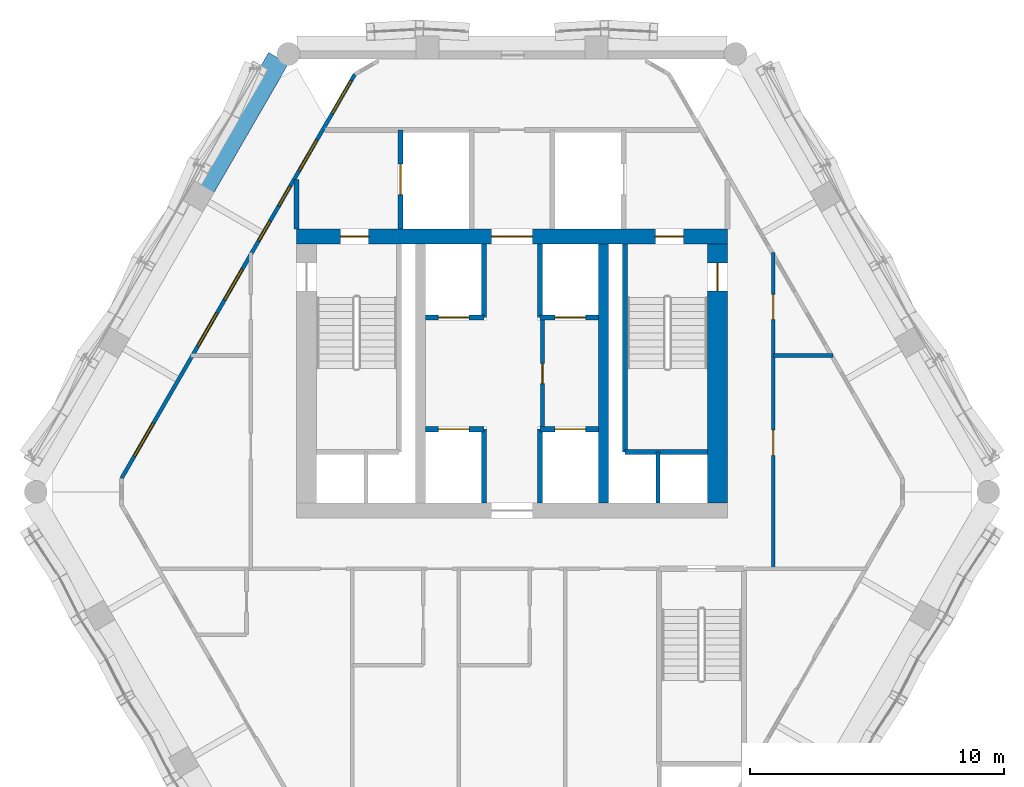
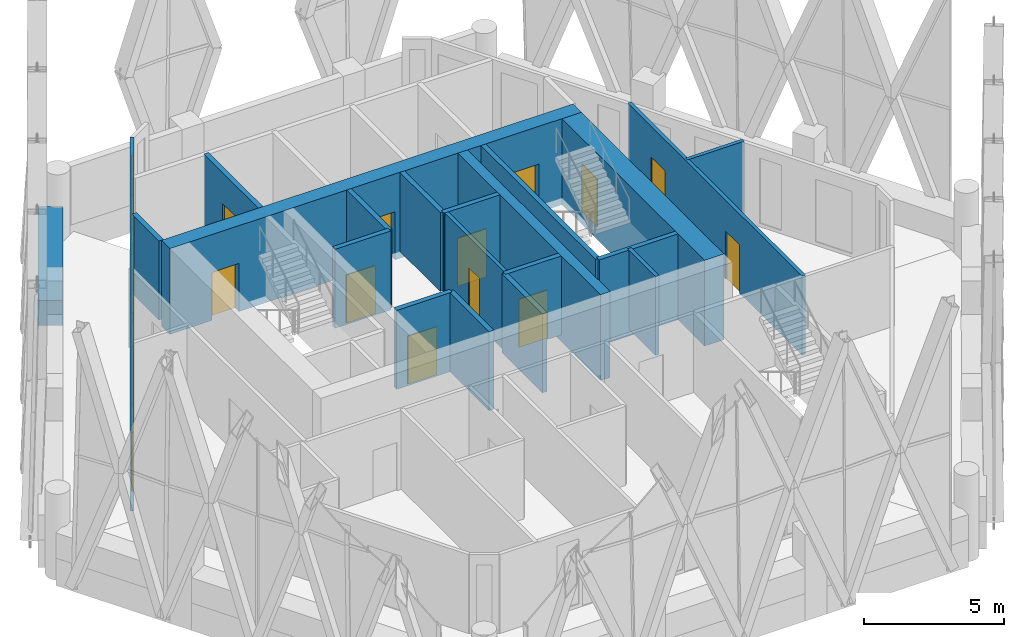
# One storey, part 14 of 22: 21 walls, 12 doors, 7 windows, 19 openings.
"""IFC4 building model written with IfcOpenShell, lengths in metres."""

import ifcopenshell
import ifcopenshell.guid

model = None  # the IFC model being written
_history = None  # IfcOwnerHistory: only IFC2X3 demands one
_inside = {}  # id of a spatial element -> (the spatial element, [elements in it])
_under = {}  # id of a project, library or spatial element -> (it, [spatial elements below it])
_declared = {}  # id of a project -> (the project, [libraries it declares])
_typed = {}  # id of a type object -> (the type object, [elements of that type])
_made_of = {}  # id of a material, layer set ... -> (it, [elements and type objects made of it])


def new_model(schema):
    """Start an empty IFC model of exactly this schema.

    Asked for "IFC4X3", IfcOpenShell would pick the latest addendum, in which some entities
    have other attributes; the version numbers below select the first issue.
    IFC2X3 requires an IfcOwnerHistory on every rooted entity: one is made here for all.
    """
    global model, _history
    if schema == "IFC4X3":
        model = ifcopenshell.file(schema_version=(4, 3, 0, 0))
    else:
        model = ifcopenshell.file(schema=schema)
    _inside.clear()
    _under.clear()
    _declared.clear()
    _typed.clear()
    _made_of.clear()
    _history = None
    if model.schema == "IFC2X3":
        org = make("IfcOrganization", Name="unknown")
        user = make(
            "IfcPersonAndOrganization",
            ThePerson=make("IfcPerson", FamilyName="unknown"),
            TheOrganization=org,
        )
        app = make(
            "IfcApplication",
            ApplicationDeveloper=org,
            Version="unknown",
            ApplicationFullName="unknown",
            ApplicationIdentifier="unknown",
        )
        _history = make(
            "IfcOwnerHistory",
            OwningUser=user,
            OwningApplication=app,
            ChangeAction="ADDED",
            CreationDate=0,
        )
    return model


def make(cls, **values):
    """One entity of the class cls with the attributes given. An attribute that is None is left unset."""
    return model.create_entity(
        cls, **{name: value for name, value in values.items() if value is not None}
    )


def rooted(cls, **values):
    """An entity with a GlobalId (a new one), such as an element, a storey or a relation."""
    return make(cls, GlobalId=ifcopenshell.guid.new(), OwnerHistory=_history, **values)


def si_unit(unit_type, name, prefix=None):
    """IfcSIUnit, for example si_unit("LENGTHUNIT", "METRE", prefix="MILLI")."""
    return make("IfcSIUnit", UnitType=unit_type, Prefix=prefix, Name=name)


def assignment(units):
    """IfcUnitAssignment: the units of a project."""
    return None if units is None else make("IfcUnitAssignment", Units=units)


def point(xyz):
    """IfcCartesianPoint."""
    return None if xyz is None else make("IfcCartesianPoint", Coordinates=xyz)


def direction(xyz):
    """IfcDirection."""
    return None if xyz is None else make("IfcDirection", DirectionRatios=xyz)


def frame(location, z_axis=None, x_axis=None):
    """IfcAxis2Placement3D, a coordinate frame: its origin and axes. An axis left out is left unset."""
    return make(
        "IfcAxis2Placement3D",
        Location=point(location),
        Axis=direction(z_axis),
        RefDirection=direction(x_axis),
    )


def frame_2d(location, x_axis=None):
    """IfcAxis2Placement2D, a coordinate frame in the plane: its origin and x axis."""
    return make(
        "IfcAxis2Placement2D", Location=point(location), RefDirection=direction(x_axis)
    )


def origin():
    """The frame at (0, 0, 0) with its axes left unset."""
    return frame((0.0, 0.0, 0.0))


def place(relative_to, where):
    """IfcLocalPlacement: puts the frame where relative to a parent placement (None: the world)."""
    return make(
        "IfcLocalPlacement", PlacementRelTo=relative_to, RelativePlacement=where
    )


def context(
    kind, dimensions, precision=None, world=None, true_north=None, identifier=None
):
    """IfcGeometricRepresentationContext, for example the 3D "Model" context."""
    return make(
        "IfcGeometricRepresentationContext",
        ContextIdentifier=identifier,
        ContextType=kind,
        CoordinateSpaceDimension=dimensions,
        Precision=precision,
        WorldCoordinateSystem=world,
        TrueNorth=true_north,
    )


def subcontext(parent, identifier, kind, view, scale=None):
    """IfcGeometricRepresentationSubContext, for example "Body" below "Model"."""
    return make(
        "IfcGeometricRepresentationSubContext",
        ContextIdentifier=identifier,
        ContextType=kind,
        ParentContext=parent,
        TargetScale=scale,
        TargetView=view,
    )


def project(units=None, contexts=None):
    """IfcProject with its units and contexts."""
    return rooted(
        "IfcProject",
        Name="project",
        RepresentationContexts=contexts,
        UnitsInContext=assignment(units),
    )


def spatial(cls, under=None, at=None, **own):
    """A site, building, storey or space (cls), placed at a placement, below another one or the project."""
    s = rooted(cls, ObjectPlacement=at, **own)
    if under is not None:
        _under.setdefault(under.id(), (under, []))[1].append(s)
    return s


def profile(cls, at=None, kind="AREA", **sizes):
    """A parametric profile (cls). Its sizes go by their IFC names, for example OverallWidth=200.0."""
    return make(cls, ProfileType=kind, Position=at, **sizes)


def rectangle(**sizes):
    """IfcRectangleProfileDef."""
    return profile("IfcRectangleProfileDef", **sizes)


def extrude(swept, where, along, depth):
    """IfcExtrudedAreaSolid: the profile swept, set in the frame where, extruded along a direction by depth."""
    return make(
        "IfcExtrudedAreaSolid",
        SweptArea=swept,
        Position=where,
        ExtrudedDirection=direction(along),
        Depth=depth,
    )


def shape(context_of_items, identifier, shape_type, items):
    """IfcShapeRepresentation: the items that make up one representation, for example the "Body"."""
    return make(
        "IfcShapeRepresentation",
        ContextOfItems=context_of_items,
        RepresentationIdentifier=identifier,
        RepresentationType=shape_type,
        Items=items,
    )


def material(Name=None, Category=None):
    """IfcMaterial."""
    return make("IfcMaterial", Name=Name, Category=Category)


def layer(
    of_material, thickness, ventilated=None, Name=None, Category=None, Priority=None
):
    """IfcMaterialLayer: one layer of a wall or slab, of a material (None: an air gap)."""
    return make(
        "IfcMaterialLayer",
        Material=of_material,
        LayerThickness=thickness,
        IsVentilated=ventilated,
        Name=Name,
        Category=Category,
        Priority=Priority,
    )


def layer_set(layers, Name=None):
    """IfcMaterialLayerSet."""
    return make("IfcMaterialLayerSet", MaterialLayers=layers, LayerSetName=Name)


def made_of(thing, what):
    """Note that an element or type object is made of a material, layer set ...; save() writes the relation."""
    if what is not None:
        _made_of.setdefault(what.id(), (what, []))[1].append(thing)
    return thing


def type_object(cls, material=None, **own):
    """A type object (cls), such as IfcWallType, which elements share."""
    return made_of(rooted(cls, **own), material)


def element(
    cls,
    number,
    at=None,
    inside=None,
    cuts=None,
    type_object=None,
    material=None,
    context=None,
    identifier="Body",
    shape_type=None,
    held_by="IfcProductDefinitionShape",
    body=None,
    shapes=None,
    **own,
):
    """One element of the class cls, such as IfcWall. Its Tag is "e" and its number.

    at: its placement. inside: the storey or other place that contains it. cuts: it is an
    opening in that element (IfcRelVoidsElement). A single representation is given by context,
    identifier, shape_type and body (its items); several are given by shapes. held_by: the class
    of the entity that holds the representations. save() writes the other relations.
    """
    e = rooted(cls, Tag="e%d" % number, ObjectPlacement=at, **own)
    if body is not None:
        shapes = [shape(context, identifier, shape_type, body)]
    if shapes is not None:
        e.Representation = make(held_by, Representations=shapes)
    if inside is not None:
        _inside.setdefault(inside.id(), (inside, []))[1].append(e)
    if cuts is not None:
        rooted(
            "IfcRelVoidsElement", RelatingBuildingElement=cuts, RelatedOpeningElement=e
        )
    if type_object is not None:
        _typed.setdefault(type_object.id(), (type_object, []))[1].append(e)
    return made_of(e, material)


def fill(opening, filler):
    """IfcRelFillsElement: the door or window that sits in an opening."""
    return rooted(
        "IfcRelFillsElement",
        RelatingOpeningElement=opening,
        RelatedBuildingElement=filler,
    )


def aggregate(whole, parts):
    """IfcRelAggregates: a whole, such as a stair, and the parts it consists of."""
    return rooted("IfcRelAggregates", RelatingObject=whole, RelatedObjects=parts)


def save(model, path):
    """Write the relations noted so far, then the file.

    IfcRelAggregates (storeys below a building ...), IfcRelContainedInSpatialStructure (elements
    in a storey), IfcRelDefinesByType, IfcRelAssociatesMaterial and IfcRelDeclares: one each for
    every whole, place, type object, material and project.
    """
    for whole, parts in _under.values():
        aggregate(whole, parts)
    for where, things in _inside.values():
        rooted(
            "IfcRelContainedInSpatialStructure",
            RelatedElements=things,
            RelatingStructure=where,
        )
    for kind, things in _typed.values():
        rooted("IfcRelDefinesByType", RelatedObjects=things, RelatingType=kind)
    for what, things in _made_of.values():
        rooted("IfcRelAssociatesMaterial", RelatedObjects=things, RelatingMaterial=what)
    for by, libraries in _declared.values():
        rooted("IfcRelDeclares", RelatingContext=by, RelatedDefinitions=libraries)
    model.write(path)


model = new_model("IFC4")

# Units and contexts
model_context = context("Model", 3, precision=1e-05, world=origin(), true_north=direction((0.0, 1.0)))
body_context = subcontext(model_context, "Body", "Model", "MODEL_VIEW")
ifc_project = project(units=[si_unit("LENGTHUNIT", "METRE"), si_unit("AREAUNIT", "SQUARE_METRE"), si_unit("VOLUMEUNIT", "CUBIC_METRE"), si_unit("PLANEANGLEUNIT", "RADIAN"), si_unit("MASSUNIT", "GRAM", prefix="KILO")], contexts=[model_context])

# Site, building, storey
site_placement = place(None, origin())
site = spatial("IfcSite", under=ifc_project, at=site_placement, CompositionType="ELEMENT")
building_placement = place(site_placement, origin())
building = spatial("IfcBuilding", under=site, at=building_placement, Name="Ostrander Bayou Hotel Tower", CompositionType="ELEMENT")
storey_placement = place(building_placement, frame((0.0, 0.0, 245.0)))
storey = spatial("IfcBuildingStorey", under=building, at=storey_placement, Name="L60", CompositionType="ELEMENT", Elevation=245.0)

# Wall, openings, doors
ifc_material_1 = material(Name="Concrete f'c 60 MPa", Category="concrete")
ifc_layer_1 = layer(ifc_material_1, 0.60009765625)
ifc_layer_set_1 = layer_set([ifc_layer_1], Name="CW10 core wall 600 mm f'c 60 MPa")
wall_type_1 = type_object("IfcWallType", Name="CW10 core wall 600 mm f'c 60 MPa", PredefinedType="SHEAR", material=ifc_layer_set_1)
wall_1_placement = place(storey_placement, frame((-8.5, 9.39990234375, -0.300048828125), z_axis=(0.0, 0.0, 1.0), x_axis=(1.0, 0.0, 0.0)))
wall_1 = element("IfcWall", 1, at=wall_1_placement, inside=storey, type_object=wall_type_1, Name="CW10 L60 N", PredefinedType="SHEAR", context=body_context, shape_type="SweptSolid", body=[
    extrude(rectangle(XDim=17.0, YDim=0.60009765625, at=frame_2d((8.5, 0.0))), origin(), (0.0, 0.0, 1.0), 3.75),
])
opening_1_placement = place(wall_1_placement, frame((7.699951171875, 0.0, 0.0)))
opening_1 = element("IfcOpeningElement", 2, at=opening_1_placement, cuts=wall_1, Name="Opening T60-006", PredefinedType="OPENING", context=body_context, shape_type="SweptSolid", body=[
    extrude(rectangle(XDim=1.60009765625, YDim=2.10009765625, at=frame_2d((0.800048828125, 1.050048828125))), frame((0.0, 0.300048828125, 0.0), z_axis=(0.0, -1.0, 0.0), x_axis=(1.0, 0.0, 0.0)), (0.0, 0.0, 1.0), 0.60009765625),
])
opening_2_placement = place(wall_1_placement, frame((1.75, 0.0, 0.0)))
opening_2 = element("IfcOpeningElement", 3, at=opening_2_placement, cuts=wall_1, Name="Opening T60-007", PredefinedType="OPENING", context=body_context, shape_type="SweptSolid", body=[
    extrude(rectangle(XDim=1.10009765625, YDim=2.10009765625, at=frame_2d((0.550048828125, 1.050048828125))), frame((0.0, 0.300048828125, 0.0), z_axis=(0.0, -1.0, 0.0), x_axis=(1.0, 0.0, 0.0)), (0.0, 0.0, 1.0), 0.60009765625),
])
opening_3_placement = place(wall_1_placement, frame((14.14990234375, 0.0, 0.0)))
opening_3 = element("IfcOpeningElement", 4, at=opening_3_placement, cuts=wall_1, Name="Opening T60-009", PredefinedType="OPENING", context=body_context, shape_type="SweptSolid", body=[
    extrude(rectangle(XDim=1.10009765625, YDim=2.10009765625, at=frame_2d((0.550048828125, 1.050048828125))), frame((0.0, 0.300048828125, 0.0), z_axis=(0.0, -1.0, 0.0), x_axis=(1.0, 0.0, 0.0)), (0.0, 0.0, 1.0), 0.60009765625),
])
ifc_material_2 = material(Name="Timber door leaf", Category="wood")
door_type_1 = type_object("IfcDoorType", Name="D13 double door 1600 x 2100 mm, 1 hour", OperationType="SINGLE_SWING_LEFT", PredefinedType="DOOR", material=ifc_material_2)
door_1_placement = place(opening_1_placement, origin())
door_1 = element("IfcDoor", 5, at=door_1_placement, inside=storey, type_object=door_type_1, Name="dr:L60:006", OperationType="DOUBLE_DOOR_SINGLE_SWING", OverallHeight=2.10009765625, OverallWidth=1.60009765625, PredefinedType="DOOR", context=body_context, shape_type="SweptSolid", body=[
    extrude(rectangle(XDim=1.60009765625, YDim=2.10009765625, at=frame_2d((0.800048828125, 1.050048828125))), frame((0.0, 0.02490234375, 0.0), z_axis=(0.0, -1.0, 0.0), x_axis=(1.0, 0.0, 0.0)), (0.0, 0.0, 1.0), 0.050048828125),
])
fill(opening_1, door_1)
ifc_material_3 = material(Name="Timber door leaf", Category="wood")
door_type_2 = type_object("IfcDoorType", Name="D5 stair door 1100 x 2100 mm, 90 minute", OperationType="SINGLE_SWING_LEFT", PredefinedType="DOOR", material=ifc_material_3)
door_2_placement = place(opening_2_placement, origin())
door_2 = element("IfcDoor", 6, at=door_2_placement, inside=storey, type_object=door_type_2, Name="dr:L60:007", OperationType="SINGLE_SWING_LEFT", OverallHeight=2.10009765625, OverallWidth=1.10009765625, PredefinedType="DOOR", context=body_context, shape_type="SweptSolid", body=[
    extrude(rectangle(XDim=1.10009765625, YDim=2.10009765625, at=frame_2d((0.550048828125, 1.050048828125))), frame((0.0, 0.02490234375, 0.0), z_axis=(0.0, -1.0, 0.0), x_axis=(1.0, 0.0, 0.0)), (0.0, 0.0, 1.0), 0.050048828125),
])
fill(opening_2, door_2)
door_3_placement = place(opening_3_placement, origin())
door_3 = element("IfcDoor", 7, at=door_3_placement, inside=storey, type_object=door_type_2, Name="dr:L60:009", OperationType="SINGLE_SWING_RIGHT", OverallHeight=2.10009765625, OverallWidth=1.10009765625, PredefinedType="DOOR", context=body_context, shape_type="SweptSolid", body=[
    extrude(rectangle(XDim=1.10009765625, YDim=2.10009765625, at=frame_2d((0.550048828125, 1.050048828125))), frame((0.0, 0.02490234375, 0.0), z_axis=(0.0, -1.0, 0.0), x_axis=(1.0, 0.0, 0.0)), (0.0, 0.0, 1.0), 0.050048828125),
])
fill(opening_3, door_3)

# Wall, opening, door
ifc_material_4 = material(Name="Concrete f'c 60 MPa", Category="concrete")
ifc_layer_2 = layer(ifc_material_4, 0.800048828125)
ifc_layer_set_2 = layer_set([ifc_layer_2], Name="CW11 core spine wall 800 mm f'c 60 MPa")
wall_type_2 = type_object("IfcWallType", Name="CW11 core spine wall 800 mm f'c 60 MPa", PredefinedType="SHEAR", material=ifc_layer_set_2)
wall_2_placement = place(storey_placement, frame((8.10009765625, -1.10009765625, -0.300048828125), z_axis=(0.0, 0.0, 1.0), x_axis=(0.0, 1.0, 0.0)))
wall_2 = element("IfcWall", 8, at=wall_2_placement, inside=storey, type_object=wall_type_2, Name="CW11 L60 E", PredefinedType="SHEAR", context=body_context, shape_type="SweptSolid", body=[
    extrude(rectangle(XDim=10.2001953125, YDim=0.800048828125, at=frame_2d((5.10009765625, 0.0))), origin(), (0.0, 0.0, 1.0), 3.75),
])
opening_4_placement = place(wall_2_placement, frame((8.35009765625, 0.0, 0.0)))
opening_4 = element("IfcOpeningElement", 9, at=opening_4_placement, cuts=wall_2, Name="Opening T60-010", PredefinedType="OPENING", context=body_context, shape_type="SweptSolid", body=[
    extrude(rectangle(XDim=1.10009765625, YDim=2.10009765625, at=frame_2d((0.550048828125, 1.050048828125))), frame((0.0, 0.39990234375, 0.0), z_axis=(0.0, -1.0, 0.0), x_axis=(1.0, 0.0, 0.0)), (0.0, 0.0, 1.0), 0.800048828125),
])
door_4_placement = place(opening_4_placement, origin())
door_4 = element("IfcDoor", 10, at=door_4_placement, inside=storey, type_object=door_type_2, Name="dr:L60:010", OperationType="SINGLE_SWING_LEFT", OverallHeight=2.10009765625, OverallWidth=1.10009765625, PredefinedType="DOOR", context=body_context, shape_type="SweptSolid", body=[
    extrude(rectangle(XDim=1.10009765625, YDim=2.10009765625, at=frame_2d((0.550048828125, 1.050048828125))), frame((0.0, 0.02490234375, 0.0), z_axis=(0.0, -1.0, 0.0), x_axis=(1.0, 0.0, 0.0)), (0.0, 0.0, 1.0), 0.050048828125),
])
fill(opening_4, door_4)

# Wall
ifc_material_5 = material(Name="Concrete f'c 60 MPa", Category="concrete")
ifc_layer_3 = layer(ifc_material_5, 0.39990234375)
ifc_layer_set_3 = layer_set([ifc_layer_3], Name="CW12 core bank wall 400 mm f'c 60 MPa")
wall_type_3 = type_object("IfcWallType", Name="CW12 core bank wall 400 mm f'c 60 MPa", PredefinedType="SHEAR", material=ifc_layer_set_3)
wall_3_placement = place(storey_placement, frame((3.60009765625, -1.10009765625, -0.300048828125), z_axis=(0.0, 0.0, 1.0), x_axis=(0.0, 1.0, 0.0)))
element("IfcWall", 11, at=wall_3_placement, inside=storey, type_object=wall_type_3, Name="CW12 L60 CE", PredefinedType="SHEAR", context=body_context, shape_type="SweptSolid", body=[
    extrude(rectangle(XDim=10.2001953125, YDim=0.39990234375, at=frame_2d((5.10009765625, 0.0))), origin(), (0.0, 0.0, 1.0), 3.75),
])

# Wall, openings, windows
ifc_material_6 = material(Name="Aluminium framed insulated wall", Category="aluminium")
ifc_layer_4 = layer(ifc_material_6, 0.14990234375)
ifc_layer_set_4 = layer_set([ifc_layer_4], Name="GW1 glass-line wall 150 mm")
wall_type_4 = type_object("IfcWallType", Name="GW1 glass-line wall 150 mm", PredefinedType="SOLIDWALL", material=ifc_layer_set_4)
wall_4_placement = place(storey_placement, frame((-6.19287109375, 15.79248046875, 0.0), z_axis=(0.0, 0.0, 1.0), x_axis=(-0.499998651697, -0.866026182226, 0.0)))
wall_4 = element("IfcWall", 12, at=wall_4_placement, inside=storey, type_object=wall_type_4, Name="GW1 L60 NW 1", PredefinedType="SOLIDWALL", context=body_context, shape_type="SweptSolid", body=[
    extrude(rectangle(XDim=18.38916015625, YDim=0.14990234375, at=frame_2d((9.194580078125, 0.0))), origin(), (0.0, 0.0, 1.0), 3.449951171875),
])
opening_5_placement = place(wall_4_placement, frame((5.093505859375, 0.0, 0.14990234375)))
opening_5 = element("IfcOpeningElement", 13, at=opening_5_placement, cuts=wall_4, Name="Opening W18", PredefinedType="OPENING", context=body_context, shape_type="SweptSolid", body=[
    extrude(rectangle(XDim=0.89990234375, YDim=2.85009765625, at=frame_2d((0.449951171875, 1.425048828125))), frame((0.0, 0.074951171875, 0.0), z_axis=(0.0, -1.0, 0.0), x_axis=(1.0, 0.0, 0.0)), (0.0, 0.0, 1.0), 0.14990234375),
])
opening_6_placement = place(wall_4_placement, frame((2.99365234375, 0.0, 0.14990234375)))
opening_6 = element("IfcOpeningElement", 14, at=opening_6_placement, cuts=wall_4, Name="Opening W14", PredefinedType="OPENING", context=body_context, shape_type="SweptSolid", body=[
    extrude(rectangle(XDim=1.39990234375, YDim=2.85009765625, at=frame_2d((0.699951171875, 1.425048828125))), frame((0.0, 0.074951171875, 0.0), z_axis=(0.0, -1.0, 0.0), x_axis=(1.0, 0.0, 0.0)), (0.0, 0.0, 1.0), 0.14990234375),
])
opening_7_placement = place(wall_4_placement, frame((6.68017578125, 0.0, 0.14990234375)))
opening_7 = element("IfcOpeningElement", 15, at=opening_7_placement, cuts=wall_4, Name="Opening W18", PredefinedType="OPENING", context=body_context, shape_type="SweptSolid", body=[
    extrude(rectangle(XDim=0.89990234375, YDim=2.85009765625, at=frame_2d((0.449951171875, 1.425048828125))), frame((0.0, 0.074951171875, 0.0), z_axis=(0.0, -1.0, 0.0), x_axis=(1.0, 0.0, 0.0)), (0.0, 0.0, 1.0), 0.14990234375),
])
opening_8_placement = place(wall_4_placement, frame((8.880126953125, 0.0, 0.14990234375)))
opening_8 = element("IfcOpeningElement", 16, at=opening_8_placement, cuts=wall_4, Name="Opening W14", PredefinedType="OPENING", context=body_context, shape_type="SweptSolid", body=[
    extrude(rectangle(XDim=1.39990234375, YDim=2.85009765625, at=frame_2d((0.699951171875, 1.425048828125))), frame((0.0, 0.074951171875, 0.0), z_axis=(0.0, -1.0, 0.0), x_axis=(1.0, 0.0, 0.0)), (0.0, 0.0, 1.0), 0.14990234375),
])
opening_9_placement = place(wall_4_placement, frame((10.880126953125, 0.0, 0.14990234375)))
opening_9 = element("IfcOpeningElement", 17, at=opening_9_placement, cuts=wall_4, Name="Opening W4", PredefinedType="OPENING", context=body_context, shape_type="SweptSolid", body=[
    extrude(rectangle(XDim=1.5, YDim=2.85009765625, at=frame_2d((0.75, 1.425048828125))), frame((0.0, 0.074951171875, 0.0), z_axis=(0.0, -1.0, 0.0), x_axis=(1.0, 0.0, 0.0)), (0.0, 0.0, 1.0), 0.14990234375),
])
opening_10_placement = place(wall_4_placement, frame((0.2900390625, 0.0, 0.14990234375)))
opening_10 = element("IfcOpeningElement", 18, at=opening_10_placement, cuts=wall_4, Name="Opening W4", PredefinedType="OPENING", context=body_context, shape_type="SweptSolid", body=[
    extrude(rectangle(XDim=1.5, YDim=2.72998046875, at=frame_2d((0.75, 1.364990234375))), frame((0.0, 0.074951171875, 0.0), z_axis=(0.0, -1.0, 0.0), x_axis=(1.0, 0.0, 0.0)), (0.0, 0.0, 1.0), 0.14990234375),
])
opening_11_placement = place(wall_4_placement, frame((15.884765625, 0.0, 0.14990234375)))
opening_11 = element("IfcOpeningElement", 19, at=opening_11_placement, cuts=wall_4, Name="Opening W4", PredefinedType="OPENING", context=body_context, shape_type="SweptSolid", body=[
    extrude(rectangle(XDim=1.5, YDim=2.72998046875, at=frame_2d((0.75, 1.364990234375))), frame((0.0, 0.074951171875, 0.0), z_axis=(0.0, -1.0, 0.0), x_axis=(1.0, 0.0, 0.0)), (0.0, 0.0, 1.0), 0.14990234375),
])
ifc_material_7 = material(Name="Aluminium and clear glass", Category="aluminium")
window_type_1 = type_object("IfcWindowType", Name="W14 fixed window 1400 mm, bath bay, zone 4", PartitioningType="SINGLE_PANEL", PredefinedType="WINDOW", material=ifc_material_7)
window_1_placement = place(opening_6_placement, origin())
window_1 = element("IfcWindow", 20, at=window_1_placement, inside=storey, type_object=window_type_1, Name="W14 L60 NW 1", OverallHeight=2.85009765625, OverallWidth=1.39990234375, PartitioningType="SINGLE_PANEL", PredefinedType="WINDOW", context=body_context, shape_type="SweptSolid", body=[
    extrude(rectangle(XDim=1.39990234375, YDim=2.85009765625, at=frame_2d((0.699951171875, 1.425048828125))), frame((0.0, 0.030029296875, 0.0), z_axis=(0.0, -1.0, 0.0), x_axis=(1.0, 0.0, 0.0)), (0.0, 0.0, 1.0), 0.06005859375),
])
fill(opening_6, window_1)
window_2_placement = place(opening_8_placement, origin())
window_2 = element("IfcWindow", 21, at=window_2_placement, inside=storey, type_object=window_type_1, Name="W14 L60 NW 2", OverallHeight=2.85009765625, OverallWidth=1.39990234375, PartitioningType="SINGLE_PANEL", PredefinedType="WINDOW", context=body_context, shape_type="SweptSolid", body=[
    extrude(rectangle(XDim=1.39990234375, YDim=2.85009765625, at=frame_2d((0.699951171875, 1.425048828125))), frame((0.0, 0.030029296875, 0.0), z_axis=(0.0, -1.0, 0.0), x_axis=(1.0, 0.0, 0.0)), (0.0, 0.0, 1.0), 0.06005859375),
])
fill(opening_8, window_2)
ifc_material_8 = material(Name="Aluminium and clear glass", Category="aluminium")
window_type_2 = type_object("IfcWindowType", Name="W18 window 900 mm, zone 4", PartitioningType="SINGLE_PANEL", PredefinedType="WINDOW", material=ifc_material_8)
window_3_placement = place(opening_5_placement, origin())
window_3 = element("IfcWindow", 22, at=window_3_placement, inside=storey, type_object=window_type_2, Name="W18 L60 NW 1", OverallHeight=2.85009765625, OverallWidth=0.89990234375, PartitioningType="SINGLE_PANEL", PredefinedType="WINDOW", context=body_context, shape_type="SweptSolid", body=[
    extrude(rectangle(XDim=0.89990234375, YDim=2.85009765625, at=frame_2d((0.449951171875, 1.425048828125))), frame((0.0, 0.030029296875, 0.0), z_axis=(0.0, -1.0, 0.0), x_axis=(1.0, 0.0, 0.0)), (0.0, 0.0, 1.0), 0.06005859375),
])
fill(opening_5, window_3)
window_4_placement = place(opening_7_placement, origin())
window_4 = element("IfcWindow", 23, at=window_4_placement, inside=storey, type_object=window_type_2, Name="W18 L60 NW 2", OverallHeight=2.85009765625, OverallWidth=0.89990234375, PartitioningType="SINGLE_PANEL", PredefinedType="WINDOW", context=body_context, shape_type="SweptSolid", body=[
    extrude(rectangle(XDim=0.89990234375, YDim=2.85009765625, at=frame_2d((0.449951171875, 1.425048828125))), frame((0.0, 0.030029296875, 0.0), z_axis=(0.0, -1.0, 0.0), x_axis=(1.0, 0.0, 0.0)), (0.0, 0.0, 1.0), 0.06005859375),
])
fill(opening_7, window_4)
ifc_material_9 = material(Name="Aluminium and clear glass", Category="aluminium")
window_type_3 = type_object("IfcWindowType", Name="W4 fixed window 1500 mm, zone 4", PartitioningType="SINGLE_PANEL", PredefinedType="WINDOW", material=ifc_material_9)
window_5_placement = place(opening_9_placement, origin())
window_5 = element("IfcWindow", 24, at=window_5_placement, inside=storey, type_object=window_type_3, Name="W4 L60 NW 3", OverallHeight=2.85009765625, OverallWidth=1.5, PartitioningType="SINGLE_PANEL", PredefinedType="WINDOW", context=body_context, shape_type="SweptSolid", body=[
    extrude(rectangle(XDim=1.5, YDim=2.85009765625, at=frame_2d((0.75, 1.425048828125))), frame((0.0, 0.030029296875, 0.0), z_axis=(0.0, -1.0, 0.0), x_axis=(1.0, 0.0, 0.0)), (0.0, 0.0, 1.0), 0.06005859375),
])
fill(opening_9, window_5)
window_6_placement = place(opening_10_placement, origin())
window_6 = element("IfcWindow", 25, at=window_6_placement, inside=storey, type_object=window_type_3, Name="W4 L60 NW E11", OverallHeight=2.72998046875, OverallWidth=1.5, PartitioningType="SINGLE_PANEL", PredefinedType="WINDOW", context=body_context, shape_type="SweptSolid", body=[
    extrude(rectangle(XDim=1.5, YDim=2.72998046875, at=frame_2d((0.75, 1.364990234375))), frame((0.0, 0.030029296875, 0.0), z_axis=(0.0, -1.0, 0.0), x_axis=(1.0, 0.0, 0.0)), (0.0, 0.0, 1.0), 0.06005859375),
])
fill(opening_10, window_6)
window_7_placement = place(opening_11_placement, origin())
window_7 = element("IfcWindow", 26, at=window_7_placement, inside=storey, type_object=window_type_3, Name="W4 L60 NW E21", OverallHeight=2.72998046875, OverallWidth=1.5, PartitioningType="SINGLE_PANEL", PredefinedType="WINDOW", context=body_context, shape_type="SweptSolid", body=[
    extrude(rectangle(XDim=1.5, YDim=2.72998046875, at=frame_2d((0.75, 1.364990234375))), frame((0.0, 0.030029296875, 0.0), z_axis=(0.0, -1.0, 0.0), x_axis=(1.0, 0.0, 0.0)), (0.0, 0.0, 1.0), 0.06005859375),
])
fill(opening_11, window_7)

# Walls
ifc_material_10 = material(Name="Concrete f'c 40 MPa", Category="concrete")
ifc_layer_5 = layer(ifc_material_10, 0.89990234375)
ifc_layer_set_5 = layer_set([ifc_layer_5], Name="PA1 stone-faced parapet 900 mm")
wall_type_5 = type_object("IfcWallType", Name="PA1 stone-faced parapet 900 mm", PredefinedType="PARAPET", material=ifc_layer_set_5)
wall_5_placement = place(storey_placement, frame((-9.20361328125, 16.427978515625, 0.0), z_axis=(0.0, 0.0, 1.0), x_axis=(-0.500008985279, -0.866020216069, 0.0)))
element("IfcWall", 27, at=wall_5_placement, inside=storey, type_object=wall_type_5, Name="PA1 L60 NW-1", PredefinedType="PARAPET", context=body_context, shape_type="SweptSolid", body=[
    extrude(rectangle(XDim=5.8759765625, YDim=0.89990234375, at=frame_2d((2.93798828125, 0.0))), origin(), (0.0, 0.0, 1.0), 1.10009765625),
])
ifc_material_11 = material(Name="Masonry block", Category="masonry")
ifc_layer_6 = layer(ifc_material_11, 0.199951171875)
ifc_layer_set_6 = layer_set([ifc_layer_6], Name="PT5 stair enclosure wall 200 mm masonry, 2 hour")
wall_type_6 = type_object("IfcWallType", Name="PT5 stair enclosure wall 200 mm masonry, 2 hour", PredefinedType="PARTITIONING", material=ifc_layer_set_6)
wall_6_placement = place(storey_placement, frame((-8.5, 9.699951171875, 0.0), z_axis=(0.0, 0.0, 1.0), x_axis=(0.0, 1.0, 0.0)))
element("IfcWall", 28, at=wall_6_placement, inside=storey, type_object=wall_type_6, Name="cs:L60:021", PredefinedType="PARTITIONING", context=body_context, shape_type="SweptSolid", body=[
    extrude(rectangle(XDim=1.946533203125, YDim=0.199951171875, at=frame_2d((0.97314453125, 0.0))), origin(), (0.0, 0.0, 1.0), 3.449951171875),
])

# Wall, opening, door
wall_7_placement = place(storey_placement, frame((-4.39990234375, 9.699951171875, 0.0), z_axis=(0.0, 0.0, 1.0), x_axis=(0.0, 1.0, 0.0)))
wall_7 = element("IfcWall", 29, at=wall_7_placement, inside=storey, type_object=wall_type_6, Name="cs:L60:023", PredefinedType="PARTITIONING", context=body_context, shape_type="SweptSolid", body=[
    extrude(rectangle(XDim=3.900146484375, YDim=0.199951171875, at=frame_2d((1.9501953125, 0.0))), origin(), (0.0, 0.0, 1.0), 3.449951171875),
])
opening_12_placement = place(wall_7_placement, frame((1.35009765625, 0.0, 0.0)))
opening_12 = element("IfcOpeningElement", 30, at=opening_12_placement, cuts=wall_7, Name="Opening T60-012", PredefinedType="OPENING", context=body_context, shape_type="SweptSolid", body=[
    extrude(rectangle(XDim=1.199951171875, YDim=2.10009765625, at=frame_2d((0.60009765625, 1.050048828125))), frame((0.0, 0.10009765625, 0.0), z_axis=(0.0, -1.0, 0.0), x_axis=(1.0, 0.0, 0.0)), (0.0, 0.0, 1.0), 0.199951171875),
])
ifc_material_12 = material(Name="Stainless steel sliding door", Category="steel")
door_type_3 = type_object("IfcDoorType", Name="LD1 lift landing door 1200 x 2100 mm", OperationType="SINGLE_SWING_LEFT", PredefinedType="DOOR", material=ifc_material_12)
door_5_placement = place(opening_12_placement, origin())
door_5 = element("IfcDoor", 31, at=door_5_placement, inside=storey, type_object=door_type_3, Name="dr:L60:012", OperationType="SLIDING_TO_LEFT", OverallHeight=2.10009765625, OverallWidth=1.199951171875, PredefinedType="DOOR", context=body_context, shape_type="SweptSolid", body=[
    extrude(rectangle(XDim=1.199951171875, YDim=2.10009765625, at=frame_2d((0.60009765625, 1.050048828125))), frame((0.0, 0.02490234375, 0.0), z_axis=(0.0, -1.0, 0.0), x_axis=(1.0, 0.0, 0.0)), (0.0, 0.0, 1.0), 0.050048828125),
])
fill(opening_12, door_5)

ifc_material_13 = material(Name="Masonry block", Category="masonry")
ifc_layer_7 = layer(ifc_material_13, 0.199951171875)
ifc_layer_set_7 = layer_set([ifc_layer_7], Name="PT6 lift shaft wall 200 mm masonry, 2 hour")
wall_type_7 = type_object("IfcWallType", Name="PT6 lift shaft wall 200 mm masonry, 2 hour", PredefinedType="PARTITIONING", material=ifc_layer_set_7)
wall_8_placement = place(storey_placement, frame((-3.39990234375, 1.800048828125, 0.0), z_axis=(0.0, 0.0, 1.0), x_axis=(1.0, 0.0, 0.0)))
wall_8 = element("IfcWall", 32, at=wall_8_placement, inside=storey, type_object=wall_type_7, Name="cs:L60:001", PredefinedType="PARTITIONING", context=body_context, shape_type="SweptSolid", body=[
    extrude(rectangle(XDim=2.2998046875, YDim=0.199951171875, at=frame_2d((1.14990234375, 0.0))), origin(), (0.0, 0.0, 1.0), 3.449951171875),
])
opening_13_placement = place(wall_8_placement, frame((0.5, 0.0, 0.0)))
opening_13 = element("IfcOpeningElement", 33, at=opening_13_placement, cuts=wall_8, Name="Opening T60-001", PredefinedType="OPENING", context=body_context, shape_type="SweptSolid", body=[
    extrude(rectangle(XDim=1.199951171875, YDim=2.10009765625, at=frame_2d((0.60009765625, 1.050048828125))), frame((0.0, 0.10009765625, 0.0), z_axis=(0.0, -1.0, 0.0), x_axis=(1.0, 0.0, 0.0)), (0.0, 0.0, 1.0), 0.199951171875),
])
door_6_placement = place(opening_13_placement, origin())
door_6 = element("IfcDoor", 34, at=door_6_placement, inside=storey, type_object=door_type_3, Name="dr:L60:001", OperationType="SLIDING_TO_LEFT", OverallHeight=2.10009765625, OverallWidth=1.199951171875, PredefinedType="DOOR", context=body_context, shape_type="SweptSolid", body=[
    extrude(rectangle(XDim=1.199951171875, YDim=2.10009765625, at=frame_2d((0.60009765625, 1.050048828125))), frame((0.0, 0.02490234375, 0.0), z_axis=(0.0, -1.0, 0.0), x_axis=(1.0, 0.0, 0.0)), (0.0, 0.0, 1.0), 0.050048828125),
])
fill(opening_13, door_6)

wall_9_placement = place(storey_placement, frame((-3.39990234375, 6.199951171875, 0.0), z_axis=(0.0, 0.0, 1.0), x_axis=(1.0, 0.0, 0.0)))
wall_9 = element("IfcWall", 35, at=wall_9_placement, inside=storey, type_object=wall_type_7, Name="cs:L60:002", PredefinedType="PARTITIONING", context=body_context, shape_type="SweptSolid", body=[
    extrude(rectangle(XDim=2.2998046875, YDim=0.199951171875, at=frame_2d((1.14990234375, 0.0))), origin(), (0.0, 0.0, 1.0), 3.449951171875),
])
opening_14_placement = place(wall_9_placement, frame((0.5, 0.0, 0.0)))
opening_14 = element("IfcOpeningElement", 36, at=opening_14_placement, cuts=wall_9, Name="Opening T60-003", PredefinedType="OPENING", context=body_context, shape_type="SweptSolid", body=[
    extrude(rectangle(XDim=1.199951171875, YDim=2.10009765625, at=frame_2d((0.60009765625, 1.050048828125))), frame((0.0, 0.10009765625, 0.0), z_axis=(0.0, -1.0, 0.0), x_axis=(1.0, 0.0, 0.0)), (0.0, 0.0, 1.0), 0.199951171875),
])
door_7_placement = place(opening_14_placement, origin())
door_7 = element("IfcDoor", 37, at=door_7_placement, inside=storey, type_object=door_type_3, Name="dr:L60:003", OperationType="SLIDING_TO_LEFT", OverallHeight=2.10009765625, OverallWidth=1.199951171875, PredefinedType="DOOR", context=body_context, shape_type="SweptSolid", body=[
    extrude(rectangle(XDim=1.199951171875, YDim=2.10009765625, at=frame_2d((0.60009765625, 1.050048828125))), frame((0.0, 0.02490234375, 0.0), z_axis=(0.0, -1.0, 0.0), x_axis=(1.0, 0.0, 0.0)), (0.0, 0.0, 1.0), 0.050048828125),
])
fill(opening_14, door_7)

wall_10_placement = place(storey_placement, frame((1.10009765625, 1.800048828125, 0.0), z_axis=(0.0, 0.0, 1.0), x_axis=(1.0, 0.0, 0.0)))
wall_10 = element("IfcWall", 38, at=wall_10_placement, inside=storey, type_object=wall_type_7, Name="cs:L60:003", PredefinedType="PARTITIONING", context=body_context, shape_type="SweptSolid", body=[
    extrude(rectangle(XDim=2.2998046875, YDim=0.199951171875, at=frame_2d((1.14990234375, 0.0))), origin(), (0.0, 0.0, 1.0), 3.449951171875),
])
opening_15_placement = place(wall_10_placement, frame((0.60009765625, 0.0, 0.0)))
opening_15 = element("IfcOpeningElement", 39, at=opening_15_placement, cuts=wall_10, Name="Opening T60-002", PredefinedType="OPENING", context=body_context, shape_type="SweptSolid", body=[
    extrude(rectangle(XDim=1.199951171875, YDim=2.10009765625, at=frame_2d((0.60009765625, 1.050048828125))), frame((0.0, 0.10009765625, 0.0), z_axis=(0.0, -1.0, 0.0), x_axis=(1.0, 0.0, 0.0)), (0.0, 0.0, 1.0), 0.199951171875),
])
door_8_placement = place(opening_15_placement, origin())
door_8 = element("IfcDoor", 40, at=door_8_placement, inside=storey, type_object=door_type_3, Name="dr:L60:002", OperationType="SLIDING_TO_LEFT", OverallHeight=2.10009765625, OverallWidth=1.199951171875, PredefinedType="DOOR", context=body_context, shape_type="SweptSolid", body=[
    extrude(rectangle(XDim=1.199951171875, YDim=2.10009765625, at=frame_2d((0.60009765625, 1.050048828125))), frame((0.0, 0.02490234375, 0.0), z_axis=(0.0, -1.0, 0.0), x_axis=(1.0, 0.0, 0.0)), (0.0, 0.0, 1.0), 0.050048828125),
])
fill(opening_15, door_8)

wall_11_placement = place(storey_placement, frame((1.10009765625, 6.199951171875, 0.0), z_axis=(0.0, 0.0, 1.0), x_axis=(1.0, 0.0, 0.0)))
wall_11 = element("IfcWall", 41, at=wall_11_placement, inside=storey, type_object=wall_type_7, Name="cs:L60:004", PredefinedType="PARTITIONING", context=body_context, shape_type="SweptSolid", body=[
    extrude(rectangle(XDim=2.2998046875, YDim=0.199951171875, at=frame_2d((1.14990234375, 0.0))), origin(), (0.0, 0.0, 1.0), 3.449951171875),
])
opening_16_placement = place(wall_11_placement, frame((0.60009765625, 0.0, 0.0)))
opening_16 = element("IfcOpeningElement", 42, at=opening_16_placement, cuts=wall_11, Name="Opening T60-004", PredefinedType="OPENING", context=body_context, shape_type="SweptSolid", body=[
    extrude(rectangle(XDim=1.199951171875, YDim=2.10009765625, at=frame_2d((0.60009765625, 1.050048828125))), frame((0.0, 0.10009765625, 0.0), z_axis=(0.0, -1.0, 0.0), x_axis=(1.0, 0.0, 0.0)), (0.0, 0.0, 1.0), 0.199951171875),
])
door_9_placement = place(opening_16_placement, origin())
door_9 = element("IfcDoor", 43, at=door_9_placement, inside=storey, type_object=door_type_3, Name="dr:L60:004", OperationType="SLIDING_TO_LEFT", OverallHeight=2.10009765625, OverallWidth=1.199951171875, PredefinedType="DOOR", context=body_context, shape_type="SweptSolid", body=[
    extrude(rectangle(XDim=1.199951171875, YDim=2.10009765625, at=frame_2d((0.60009765625, 1.050048828125))), frame((0.0, 0.02490234375, 0.0), z_axis=(0.0, -1.0, 0.0), x_axis=(1.0, 0.0, 0.0)), (0.0, 0.0, 1.0), 0.050048828125),
])
fill(opening_16, door_9)

# Walls
for number, where, z_axis, x_axis, name in (
    (44, (-1.10009765625, -1.10009765625, 0.0), (0.0, 0.0, 1.0), (0.0, 1.0, 0.0), "cs:L60:005"),
    (45, (1.10009765625, -1.10009765625, 0.0), (0.0, 0.0, 1.0), (0.0, 1.0, 0.0), "cs:L60:006"),
    (46, (-1.10009765625, 6.199951171875, 0.0), (0.0, 0.0, 1.0), (0.0, 1.0, 0.0), "cs:L60:007"),
    (47, (1.10009765625, 6.199951171875, 0.0), (0.0, 0.0, 1.0), (0.0, 1.0, 0.0), "cs:L60:008"),
):
    element("IfcWall", number, at=place(storey_placement, frame(where, z_axis=z_axis, x_axis=x_axis)), inside=storey, type_object=wall_type_7, Name=name, PredefinedType="PARTITIONING", context=body_context, shape_type="SweptSolid", body=[
        extrude(rectangle(XDim=2.900146484375, YDim=0.199951171875, at=frame_2d((1.4501953125, 0.0))), origin(), (0.0, 0.0, 1.0), 3.449951171875),
    ])
ifc_material_14 = material(Name="Gypsum board partition", Category="finish")
ifc_layer_8 = layer(ifc_material_14, 0.14990234375)
ifc_layer_set_8 = layer_set([ifc_layer_8], Name="PT7 riser wall 150 mm, 2 hour")
wall_type_8 = type_object("IfcWallType", Name="PT7 riser wall 150 mm, 2 hour", PredefinedType="PARTITIONING", material=ifc_layer_set_8)
wall_12_placement = place(storey_placement, frame((5.75, -1.10009765625, 0.0), z_axis=(0.0, 0.0, 1.0), x_axis=(0.0, 1.0, 0.0)))
element("IfcWall", 48, at=wall_12_placement, inside=storey, type_object=wall_type_8, Name="cs:L60:014", PredefinedType="PARTITIONING", context=body_context, shape_type="SweptSolid", body=[
    extrude(rectangle(XDim=2.0, YDim=0.14990234375, at=frame_2d((1.0, 0.0))), origin(), (0.0, 0.0, 1.0), 3.449951171875),
])

# Wall, opening, door
wall_13_placement = place(storey_placement, frame((1.199951171875, 1.89990234375, 0.0), z_axis=(0.0, 0.0, 1.0), x_axis=(0.0, 1.0, 0.0)))
wall_13 = element("IfcWall", 49, at=wall_13_placement, inside=storey, type_object=wall_type_8, Name="cs:L60:027", PredefinedType="PARTITIONING", context=body_context, shape_type="SweptSolid", body=[
    extrude(rectangle(XDim=4.2001953125, YDim=0.14990234375, at=frame_2d((2.10009765625, 0.0))), origin(), (0.0, 0.0, 1.0), 3.449951171875),
])
opening_17_placement = place(wall_13_placement, frame((1.699951171875, 0.0, 0.0)))
opening_17 = element("IfcOpeningElement", 50, at=opening_17_placement, cuts=wall_13, Name="Opening T60-015", PredefinedType="OPENING", context=body_context, shape_type="SweptSolid", body=[
    extrude(rectangle(XDim=0.800048828125, YDim=2.10009765625, at=frame_2d((0.39990234375, 1.050048828125))), frame((0.0, 0.074951171875, 0.0), z_axis=(0.0, -1.0, 0.0), x_axis=(1.0, 0.0, 0.0)), (0.0, 0.0, 1.0), 0.14990234375),
])
ifc_material_15 = material(Name="Timber door leaf", Category="wood")
door_type_4 = type_object("IfcDoorType", Name="D6 riser door 800 x 2100 mm, 90 minute", OperationType="SINGLE_SWING_LEFT", PredefinedType="DOOR", material=ifc_material_15)
door_10_placement = place(opening_17_placement, origin())
door_10 = element("IfcDoor", 51, at=door_10_placement, inside=storey, type_object=door_type_4, Name="dr:L60:015", OperationType="SINGLE_SWING_RIGHT", OverallHeight=2.10009765625, OverallWidth=0.800048828125, PredefinedType="DOOR", context=body_context, shape_type="SweptSolid", body=[
    extrude(rectangle(XDim=0.800048828125, YDim=2.10009765625, at=frame_2d((0.39990234375, 1.050048828125))), frame((0.0, 0.02490234375, 0.0), z_axis=(0.0, -1.0, 0.0), x_axis=(1.0, 0.0, 0.0)), (0.0, 0.0, 1.0), 0.050048828125),
])
fill(opening_17, door_10)

# Wall
ifc_material_16 = material(Name="Gypsum board partition", Category="finish")
ifc_layer_9 = layer(ifc_material_16, 0.14990234375)
ifc_layer_set_9 = layer_set([ifc_layer_9], Name="PT8 service band wall 150 mm, 1 hour")
wall_type_9 = type_object("IfcWallType", Name="PT8 service band wall 150 mm, 1 hour", PredefinedType="PARTITIONING", material=ifc_layer_set_9)
wall_14_placement = place(storey_placement, frame((10.300048828125, 4.699951171875, 0.0), z_axis=(0.0, 0.0, 1.0), x_axis=(1.0, 0.0, 0.0)))
element("IfcWall", 52, at=wall_14_placement, inside=storey, type_object=wall_type_9, Name="gw:L60:007", PredefinedType="PARTITIONING", context=body_context, shape_type="SweptSolid", body=[
    extrude(rectangle(XDim=2.348876953125, YDim=0.14990234375, at=frame_2d((1.17431640625, 0.0))), origin(), (0.0, 0.0, 1.0), 3.449951171875),
])

# Wall, openings, doors
wall_15_placement = place(storey_placement, frame((10.300048828125, -3.699951171875, 0.0), z_axis=(0.0, 0.0, 1.0), x_axis=(0.0, 1.0, 0.0)))
wall_15 = element("IfcWall", 53, at=wall_15_placement, inside=storey, type_object=wall_type_9, Name="gw:L60:008", PredefinedType="PARTITIONING", context=body_context, shape_type="SweptSolid", body=[
    extrude(rectangle(XDim=12.468994140625, YDim=0.14990234375, at=frame_2d((6.234375, 0.0))), origin(), (0.0, 0.0, 1.0), 3.449951171875),
])
opening_18_placement = place(wall_15_placement, frame((4.470947265625, 0.0, 0.0)))
opening_18 = element("IfcOpeningElement", 54, at=opening_18_placement, cuts=wall_15, Name="Opening T60-409", PredefinedType="OPENING", context=body_context, shape_type="SweptSolid", body=[
    extrude(rectangle(XDim=1.0, YDim=2.10009765625, at=frame_2d((0.5, 1.050048828125))), frame((0.0, 0.074951171875, 0.0), z_axis=(0.0, -1.0, 0.0), x_axis=(1.0, 0.0, 0.0)), (0.0, 0.0, 1.0), 0.14990234375),
])
opening_19_placement = place(wall_15_placement, frame((9.81494140625, 0.0, 0.0)))
opening_19 = element("IfcOpeningElement", 55, at=opening_19_placement, cuts=wall_15, Name="Opening T60-410", PredefinedType="OPENING", context=body_context, shape_type="SweptSolid", body=[
    extrude(rectangle(XDim=1.0, YDim=2.10009765625, at=frame_2d((0.5, 1.050048828125))), frame((0.0, 0.074951171875, 0.0), z_axis=(0.0, -1.0, 0.0), x_axis=(1.0, 0.0, 0.0)), (0.0, 0.0, 1.0), 0.14990234375),
])
ifc_material_17 = material(Name="Timber door leaf", Category="wood")
door_type_5 = type_object("IfcDoorType", Name="D15 room door 1000 x 2100 mm", OperationType="SINGLE_SWING_LEFT", PredefinedType="DOOR", material=ifc_material_17)
door_11_placement = place(opening_18_placement, origin())
door_11 = element("IfcDoor", 56, at=door_11_placement, inside=storey, type_object=door_type_5, Name="dr:L60:409", OperationType="SINGLE_SWING_LEFT", OverallHeight=2.10009765625, OverallWidth=1.0, PredefinedType="DOOR", context=body_context, shape_type="SweptSolid", body=[
    extrude(rectangle(XDim=1.0, YDim=2.10009765625, at=frame_2d((0.5, 1.050048828125))), frame((0.0, 0.02490234375, 0.0), z_axis=(0.0, -1.0, 0.0), x_axis=(1.0, 0.0, 0.0)), (0.0, 0.0, 1.0), 0.050048828125),
])
fill(opening_18, door_11)
ifc_material_18 = material(Name="Timber door leaf", Category="wood")
door_type_6 = type_object("IfcDoorType", Name="D9 service door 1000 x 2100 mm, 30 minute", OperationType="SINGLE_SWING_LEFT", PredefinedType="DOOR", material=ifc_material_18)
door_12_placement = place(opening_19_placement, origin())
door_12 = element("IfcDoor", 57, at=door_12_placement, inside=storey, type_object=door_type_6, Name="dr:L60:410", OperationType="SINGLE_SWING_LEFT", OverallHeight=2.10009765625, OverallWidth=1.0, PredefinedType="DOOR", context=body_context, shape_type="SweptSolid", body=[
    extrude(rectangle(XDim=1.0, YDim=2.10009765625, at=frame_2d((0.5, 1.050048828125))), frame((0.0, 0.02490234375, 0.0), z_axis=(0.0, -1.0, 0.0), x_axis=(1.0, 0.0, 0.0)), (0.0, 0.0, 1.0), 0.050048828125),
])
fill(opening_19, door_12)

# Walls
ifc_material_19 = material(Name="Concrete f'c 45 MPa", Category="concrete")
ifc_layer_10 = layer(ifc_material_19, 0.199951171875)
ifc_layer_set_10 = layer_set([ifc_layer_10], Name="SW5 stair enclosure wall 200 mm f'c 45 MPa")
wall_type_10 = type_object("IfcWallType", Name="SW5 stair enclosure wall 200 mm f'c 45 MPa", PredefinedType="SOLIDWALL", material=ifc_layer_set_10)
wall_16_placement = place(storey_placement, frame((4.449951171875, 0.89990234375, -0.300048828125), z_axis=(0.0, 0.0, 1.0), x_axis=(0.0, 1.0, 0.0)))
element("IfcWall", 58, at=wall_16_placement, inside=storey, type_object=wall_type_10, Name="cs:L60:012", PredefinedType="SOLIDWALL", context=body_context, shape_type="SweptSolid", body=[
    extrude(rectangle(XDim=8.2001953125, YDim=0.199951171875, at=frame_2d((4.10009765625, 0.0))), origin(), (0.0, 0.0, 1.0), 3.75),
])
wall_17_placement = place(storey_placement, frame((4.449951171875, 0.89990234375, -0.300048828125), z_axis=(0.0, 0.0, 1.0), x_axis=(1.0, 0.0, 0.0)))
element("IfcWall", 59, at=wall_17_placement, inside=storey, type_object=wall_type_10, Name="cs:L60:013", PredefinedType="SOLIDWALL", context=body_context, shape_type="SweptSolid", body=[
    extrude(rectangle(XDim=3.25, YDim=0.199951171875, at=frame_2d((1.625, 0.0))), origin(), (0.0, 0.0, 1.0), 3.75),
])

save(model, "model.ifc")
